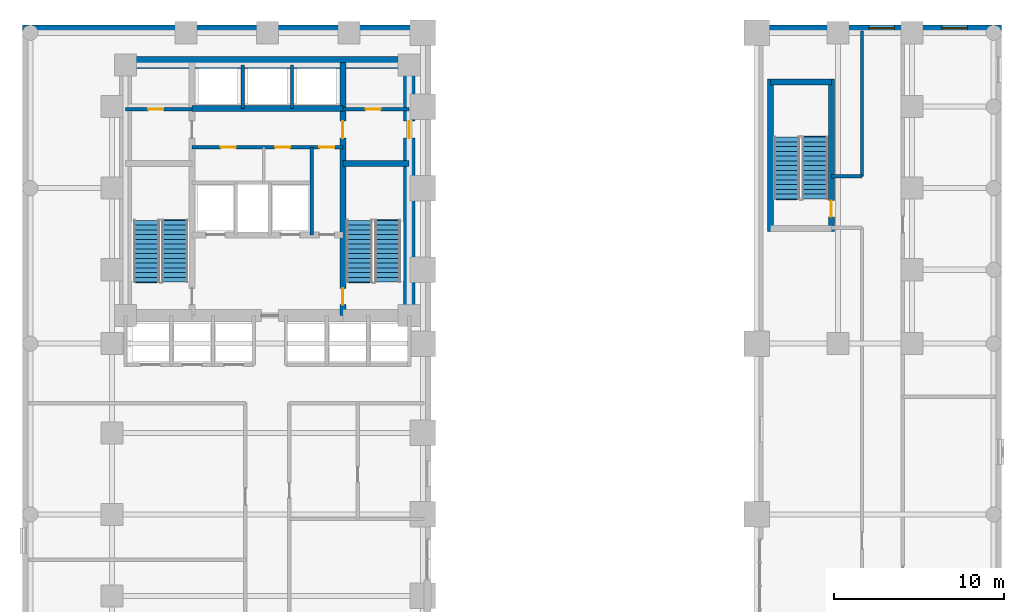
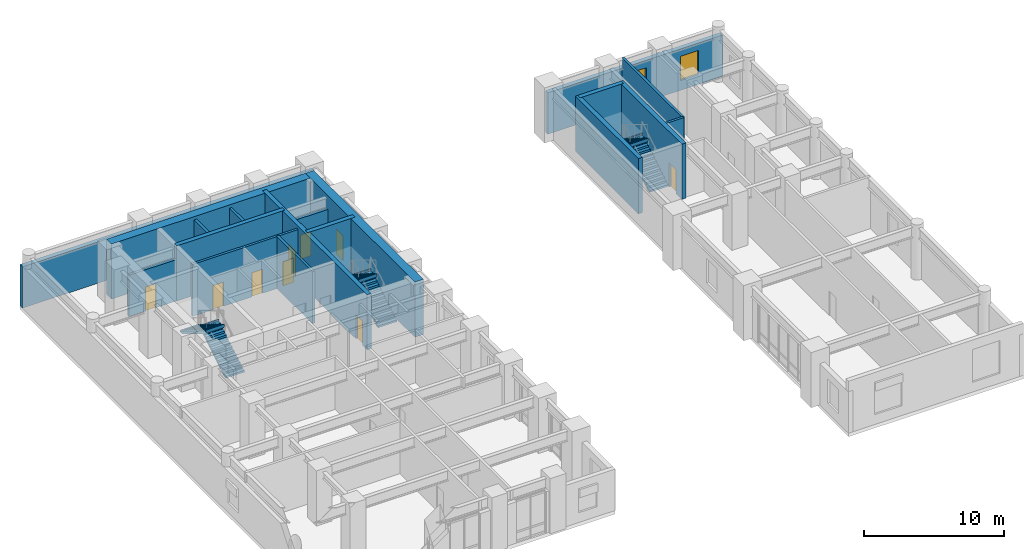
# One storey, part 8 of 11: 18 walls, 9 doors, 6 stair flights, 2 windows, 11 openings, 3 elements without a shape of their own.
"""IFC4 building model written with IfcOpenShell, lengths in metres."""

from ifc_helpers import new_model, si_unit, direction, frame, frame_2d, origin, place, context, subcontext, project, spatial, polyline, rectangle, outline, extrude, material, layer, layer_set, type_object, element, fill, aggregate, save


model = new_model("IFC4")

# Units and contexts
model_context = context("Model", 3, precision=1e-05, world=origin(), true_north=direction((0.0, 1.0)))
body_context = subcontext(model_context, "Body", "Model", "MODEL_VIEW")
ifc_project = project(units=[si_unit("LENGTHUNIT", "METRE"), si_unit("AREAUNIT", "SQUARE_METRE"), si_unit("VOLUMEUNIT", "CUBIC_METRE"), si_unit("PLANEANGLEUNIT", "RADIAN"), si_unit("MASSUNIT", "GRAM", prefix="KILO")], contexts=[model_context])

# Site, building, storey
site_placement = place(None, origin())
site = spatial("IfcSite", under=ifc_project, at=site_placement, CompositionType="ELEMENT")
building_placement = place(site_placement, origin())
building = spatial("IfcBuilding", under=site, at=building_placement, Name="Orvandelia Arch Residences", CompositionType="ELEMENT")
storey_placement = place(building_placement, frame((0.0, 0.0, 5.199951171875)))
storey = spatial("IfcBuildingStorey", under=building, at=storey_placement, Name="L01", CompositionType="ELEMENT", Elevation=5.199951171875)

# Wall, openings, doors
ifc_material_1 = material(Name="Concrete C50/60", Category="concrete")
ifc_layer_1 = layer(ifc_material_1, 0.35009765625, Name="Concrete C50/60", Category="concrete")
ifc_layer_set_1 = layer_set([ifc_layer_1], Name="Concrete C50/60")
wall_type_1 = type_object("IfcWallType", Name="WL-CORE-350", PredefinedType="SHEAR", material=ifc_layer_set_1)
wall_1_placement = place(storey_placement, frame((18.840087890625, 30.89990234375, 0.0), z_axis=(0.0, 0.0, 1.0), x_axis=(0.0, 1.0, 0.0)))
wall_1 = element("IfcWall", 1, at=wall_1_placement, inside=storey, type_object=wall_type_1, Name="Core Shear Wall L01-WEB2", PredefinedType="SHEAR", context=body_context, shape_type="SweptSolid", body=[
    extrude(rectangle(XDim=14.900146484375, YDim=0.35009765625, at=frame_2d((7.4501953125, 0.0))), origin(), (0.0, 0.0, 1.0), 4.800048828125),
])
opening_1_placement = place(wall_1_placement, frame((0.64990234375, 0.0, 0.0)))
opening_1 = element("IfcOpeningElement", 2, at=opening_1_placement, cuts=wall_1, Name="Opening D7", PredefinedType="OPENING", context=body_context, shape_type="SweptSolid", body=[
    extrude(rectangle(XDim=0.949951171875, YDim=2.10009765625, at=frame_2d((0.47509765625, 1.050048828125))), frame((0.0, 0.18505859375, 0.0), z_axis=(0.0, -1.0, 0.0), x_axis=(1.0, 0.0, 0.0)), (0.0, 0.0, 1.0), 0.3701171875),
])
opening_2_placement = place(wall_1_placement, frame((10.449951171875, 0.0, 0.0)))
opening_2 = element("IfcOpeningElement", 3, at=opening_2_placement, cuts=wall_1, Name="Opening D6", PredefinedType="OPENING", context=body_context, shape_type="SweptSolid", body=[
    extrude(rectangle(XDim=1.0, YDim=2.14990234375, at=frame_2d((0.5, 1.074951171875))), frame((0.0, 0.18505859375, 0.0), z_axis=(0.0, -1.0, 0.0), x_axis=(1.0, 0.0, 0.0)), (0.0, 0.0, 1.0), 0.3701171875),
])
ifc_material_2 = material(Name="Smokeproof Painted Steel Fire Door", Category="steel")
door_type_1 = type_object("IfcDoorType", Name="DR-FD60-1000", OperationType="NOTDEFINED", PredefinedType="DOOR", material=ifc_material_2)
door_1_placement = place(opening_2_placement, origin())
door_1 = element("IfcDoor", 4, at=door_1_placement, inside=storey, type_object=door_type_1, Name="High-Rise Lift Hall East Vestibule Door L01", OperationType="SINGLE_SWING_RIGHT", OverallHeight=2.14990234375, OverallWidth=1.0, PredefinedType="DOOR", context=body_context, shape_type="SweptSolid", body=[
    extrude(rectangle(XDim=1.0, YDim=2.14990234375, at=frame_2d((0.5, 1.074951171875))), frame((0.0, 0.02490234375, 0.0), z_axis=(0.0, -1.0, 0.0), x_axis=(1.0, 0.0, 0.0)), (0.0, 0.0, 1.0), 0.050048828125),
])
fill(opening_2, door_1)
ifc_material_3 = material(Name="Pressurised Stairwell Fire Door")
door_type_2 = type_object("IfcDoorType", Name="DR-STAIR-950", OperationType="NOTDEFINED", PredefinedType="DOOR", material=ifc_material_3)
door_2_placement = place(opening_1_placement, origin())
door_2 = element("IfcDoor", 5, at=door_2_placement, inside=storey, type_object=door_type_2, Name="Stairwell ST-2 Fire Door L01", OperationType="SINGLE_SWING_RIGHT", OverallHeight=2.10009765625, OverallWidth=0.949951171875, PredefinedType="DOOR", context=body_context, shape_type="SweptSolid", body=[
    extrude(rectangle(XDim=0.949951171875, YDim=2.10009765625, at=frame_2d((0.47509765625, 1.050048828125))), frame((0.0, 0.02490234375, 0.0), z_axis=(0.0, -1.0, 0.0), x_axis=(1.0, 0.0, 0.0)), (0.0, 0.0, 1.0), 0.050048828125),
])
fill(opening_1, door_2)

# Walls
wall_2_placement = place(storey_placement, frame((18.840087890625, 39.85009765625, 0.0), z_axis=(0.0, 0.0, 1.0), x_axis=(1.0, 0.0, 0.0)))
element("IfcWall", 6, at=wall_2_placement, inside=storey, type_object=wall_type_1, Name="Core Shear Wall L01-HZ2", PredefinedType="SHEAR", context=body_context, shape_type="SweptSolid", body=[
    extrude(rectangle(XDim=3.909912109375, YDim=0.35009765625, at=frame_2d((1.955078125, 0.0))), origin(), (0.0, 0.0, 1.0), 4.800048828125),
])
wall_3_placement = place(storey_placement, frame((9.9599609375, 43.10009765625, 0.0), z_axis=(0.0, 0.0, 1.0), x_axis=(1.0, 0.0, 0.0)))
element("IfcWall", 7, at=wall_3_placement, inside=storey, type_object=wall_type_1, Name="Core Shear Wall L01-HZ4", PredefinedType="SHEAR", context=body_context, shape_type="SweptSolid", body=[
    extrude(rectangle(XDim=8.880126953125, YDim=0.35009765625, at=frame_2d((4.43994140625, 0.0))), origin(), (0.0, 0.0, 1.0), 4.800048828125),
])
wall_4_placement = place(storey_placement, frame((44.02001953125, 35.864990234375, 0.0), z_axis=(0.0, 0.0, 1.0), x_axis=(0.0, 1.0, 0.0)))
element("IfcWall", 8, at=wall_4_placement, inside=storey, type_object=wall_type_1, Name="East Stair Core Shear Wall L01-W", PredefinedType="SHEAR", context=body_context, shape_type="SweptSolid", body=[
    extrude(rectangle(XDim=8.969970703125, YDim=0.35009765625, at=frame_2d((4.48486328125, 0.0))), origin(), (0.0, 0.0, 1.0), 4.800048828125),
])

# Wall, opening, door
wall_5_placement = place(storey_placement, frame((47.60009765625, 35.864990234375, 0.0), z_axis=(0.0, 0.0, 1.0), x_axis=(0.0, 1.0, 0.0)))
wall_5 = element("IfcWall", 9, at=wall_5_placement, inside=storey, type_object=wall_type_1, Name="East Stair Core Shear Wall L01-E", PredefinedType="SHEAR", context=body_context, shape_type="SweptSolid", body=[
    extrude(rectangle(XDim=8.969970703125, YDim=0.35009765625, at=frame_2d((4.48486328125, 0.0))), origin(), (0.0, 0.0, 1.0), 4.800048828125),
])
opening_3_placement = place(wall_5_placement, frame((0.85009765625, 0.0, 0.0)))
opening_3 = element("IfcOpeningElement", 10, at=opening_3_placement, cuts=wall_5, Name="Opening D7", PredefinedType="OPENING", context=body_context, shape_type="SweptSolid", body=[
    extrude(rectangle(XDim=0.949951171875, YDim=2.10009765625, at=frame_2d((0.47509765625, 1.050048828125))), frame((0.0, 0.18505859375, 0.0), z_axis=(0.0, -1.0, 0.0), x_axis=(1.0, 0.0, 0.0)), (0.0, 0.0, 1.0), 0.3701171875),
])
door_3_placement = place(opening_3_placement, origin())
door_3 = element("IfcDoor", 11, at=door_3_placement, inside=storey, type_object=door_type_2, Name="East Stairwell ST-3 Fire Door L01", OperationType="SINGLE_SWING_RIGHT", OverallHeight=2.10009765625, OverallWidth=0.949951171875, PredefinedType="DOOR", context=body_context, shape_type="SweptSolid", body=[
    extrude(rectangle(XDim=0.949951171875, YDim=2.10009765625, at=frame_2d((0.47509765625, 1.050048828125))), frame((0.0, 0.02490234375, 0.0), z_axis=(0.0, -1.0, 0.0), x_axis=(1.0, 0.0, 0.0)), (0.0, 0.0, 1.0), 0.050048828125),
])
fill(opening_3, door_3)

# Wall
wall_6_placement = place(storey_placement, frame((44.02001953125, 44.659912109375, 0.0), z_axis=(0.0, 0.0, 1.0), x_axis=(1.0, 0.0, 0.0)))
element("IfcWall", 12, at=wall_6_placement, inside=storey, type_object=wall_type_1, Name="East Stair Core Shear Wall L01-N", PredefinedType="SHEAR", context=body_context, shape_type="SweptSolid", body=[
    extrude(rectangle(XDim=3.580078125, YDim=0.35009765625, at=frame_2d((1.7900390625, 0.0))), origin(), (0.0, 0.0, 1.0), 4.800048828125),
])

# Wall, opening, door
ifc_material_4 = material(Name="Concrete C80/95", Category="concrete")
ifc_layer_2 = layer(ifc_material_4, 0.699951171875, Name="Concrete C80/95", Category="concrete")
ifc_layer_set_2 = layer_set([ifc_layer_2], Name="Concrete C80/95")
wall_type_2 = type_object("IfcWallType", Name="WL-CORE-700", PredefinedType="SHEAR", material=ifc_layer_set_2)
wall_7_placement = place(storey_placement, frame((22.75, 30.550048828125, 0.0), z_axis=(0.0, 0.0, 1.0), x_axis=(0.0, 1.0, 0.0)))
wall_7 = element("IfcWall", 13, at=wall_7_placement, inside=storey, type_object=wall_type_2, Name="Core Shear Wall L01-E", PredefinedType="SHEAR", context=body_context, shape_type="SweptSolid", body=[
    extrude(rectangle(XDim=15.599853515625, YDim=0.699951171875, at=frame_2d((7.7998046875, 0.0))), origin(), (0.0, 0.0, 1.0), 4.800048828125),
])
opening_4_placement = place(wall_7_placement, frame((10.800048828125, 0.0, 0.0)))
opening_4 = element("IfcOpeningElement", 14, at=opening_4_placement, cuts=wall_7, Name="Opening D6", PredefinedType="OPENING", context=body_context, shape_type="SweptSolid", body=[
    extrude(rectangle(XDim=1.0, YDim=2.14990234375, at=frame_2d((0.5, 1.074951171875))), frame((0.0, 0.35986328125, 0.0), z_axis=(0.0, -1.0, 0.0), x_axis=(1.0, 0.0, 0.0)), (0.0, 0.0, 1.0), 0.719970703125),
])
door_4_placement = place(opening_4_placement, origin())
door_4 = element("IfcDoor", 15, at=door_4_placement, inside=storey, type_object=door_type_1, Name="Core East Corridor Link Door L01", OperationType="SINGLE_SWING_LEFT", OverallHeight=2.14990234375, OverallWidth=1.0, PredefinedType="DOOR", context=body_context, shape_type="SweptSolid", body=[
    extrude(rectangle(XDim=1.0, YDim=2.14990234375, at=frame_2d((0.5, 1.074951171875))), frame((0.0, 0.02490234375, 0.0), z_axis=(0.0, -1.0, 0.0), x_axis=(1.0, 0.0, 0.0)), (0.0, 0.0, 1.0), 0.050048828125),
])
fill(opening_4, door_4)

# Walls
wall_8_placement = place(storey_placement, frame((6.050048828125, 45.800048828125, 0.0), z_axis=(0.0, 0.0, 1.0), x_axis=(1.0, 0.0, 0.0)))
element("IfcWall", 16, at=wall_8_placement, inside=storey, type_object=wall_type_2, Name="Core Shear Wall L01-N", PredefinedType="SHEAR", context=body_context, shape_type="SweptSolid", body=[
    extrude(rectangle(XDim=16.699951171875, YDim=0.699951171875, at=frame_2d((8.35009765625, 0.0))), origin(), (0.0, 0.0, 1.0), 4.800048828125),
])
ifc_material_5 = material(Name="Fire-Rated Corridor Partition")
ifc_layer_3 = layer(ifc_material_5, 0.199951171875, Name="Fire-Rated Corridor Partition")
ifc_layer_set_3 = layer_set([ifc_layer_3], Name="Fire-Rated Corridor Partition")
wall_type_3 = type_object("IfcWallType", Name="WL-CORR-200", PredefinedType="PARTITIONING", material=ifc_layer_set_3)
wall_9_placement = place(storey_placement, frame((49.39990234375, 39.10009765625, 0.0), z_axis=(0.0, 0.0, 1.0), x_axis=(0.0, 1.0, 0.0)))
element("IfcWall", 17, at=wall_9_placement, inside=storey, type_object=wall_type_3, Name="Interior Partition Wall WL-L01-PE-W2", PredefinedType="PARTITIONING", context=body_context, shape_type="SweptSolid", body=[
    extrude(rectangle(XDim=8.539794921875, YDim=0.199951171875, at=frame_2d((4.27001953125, 0.0))), origin(), (0.0, 0.0, 1.0), 4.52001953125),
])
wall_10_placement = place(storey_placement, frame((47.60009765625, 39.10009765625, 0.0), z_axis=(0.0, 0.0, 1.0), x_axis=(1.0, 0.0, 0.0)))
element("IfcWall", 18, at=wall_10_placement, inside=storey, type_object=wall_type_3, Name="Interior Partition Wall WL-L01-PE-VN", PredefinedType="PARTITIONING", context=body_context, shape_type="SweptSolid", body=[
    extrude(rectangle(XDim=1.7998046875, YDim=0.199951171875, at=frame_2d((0.89990234375, 0.0))), origin(), (0.0, 0.0, 1.0), 4.52001953125),
])
ifc_material_6 = material(Name="Precast concrete C40/50", Category="concrete")
ifc_layer_4 = layer(ifc_material_6, 0.35009765625, Name="Precast concrete C40/50", Category="concrete")
ifc_layer_set_4 = layer_set([ifc_layer_4], Name="Precast concrete C40/50")
wall_type_4 = type_object("IfcWallType", Name="WL-EXT-POD-350", PredefinedType="STANDARD", material=ifc_layer_set_4)
wall_11_placement = place(storey_placement, frame((0.0, 47.824951171875, 0.0), z_axis=(0.0, 0.0, 1.0), x_axis=(1.0, 0.0, 0.0)))
element("IfcWall", 19, at=wall_11_placement, inside=storey, type_object=wall_type_4, Name="Coral-Limestone Precast Facade Wall L01-001", PredefinedType="STANDARD", context=body_context, shape_type="SweptSolid", body=[
    extrude(rectangle(XDim=24.0, YDim=0.35009765625, at=frame_2d((12.0, 0.0))), origin(), (0.0, 0.0, 1.0), 3.60009765625),
])

# Wall, openings, windows
wall_12_placement = place(storey_placement, frame((43.199951171875, 47.824951171875, 0.0), z_axis=(0.0, 0.0, 1.0), x_axis=(1.0, 0.0, 0.0)))
wall_12 = element("IfcWall", 20, at=wall_12_placement, inside=storey, type_object=wall_type_4, Name="Coral-Limestone Precast Facade Wall L01-010", PredefinedType="STANDARD", context=body_context, shape_type="SweptSolid", body=[
    extrude(rectangle(XDim=14.400146484375, YDim=0.35009765625, at=frame_2d((7.2001953125, 0.0))), origin(), (0.0, 0.0, 1.0), 3.60009765625),
])
opening_5_placement = place(wall_12_placement, frame((6.60009765625, 0.0, 0.85009765625)))
opening_5 = element("IfcOpeningElement", 21, at=opening_5_placement, cuts=wall_12, Name="Opening W2", PredefinedType="OPENING", context=body_context, shape_type="SweptSolid", body=[
    extrude(rectangle(XDim=1.5, YDim=2.10009765625, at=frame_2d((0.75, 1.050048828125))), frame((0.0, 0.18505859375, 0.0), z_axis=(0.0, -1.0, 0.0), x_axis=(1.0, 0.0, 0.0)), (0.0, 0.0, 1.0), 0.3701171875),
])
opening_6_placement = place(wall_12_placement, frame((10.89990234375, 0.0, 0.85009765625)))
opening_6 = element("IfcOpeningElement", 22, at=opening_6_placement, cuts=wall_12, Name="Opening W2", PredefinedType="OPENING", context=body_context, shape_type="SweptSolid", body=[
    extrude(rectangle(XDim=1.5, YDim=2.10009765625, at=frame_2d((0.75, 1.050048828125))), frame((0.0, 0.18505859375, 0.0), z_axis=(0.0, -1.0, 0.0), x_axis=(1.0, 0.0, 0.0)), (0.0, 0.0, 1.0), 0.3701171875),
])
ifc_material_7 = material(Name="Tempered Low-E Insulated Glazing", Category="glass")
window_type = type_object("IfcWindowType", Name="WIN-RES-1500x2100", PartitioningType="SINGLE_PANEL", PredefinedType="WINDOW", material=ifc_material_7)
window_1_placement = place(opening_5_placement, origin())
window_1 = element("IfcWindow", 23, at=window_1_placement, inside=storey, type_object=window_type, Name="Recessed Punched Window L01-007", OverallHeight=2.10009765625, OverallWidth=1.5, PartitioningType="SINGLE_PANEL", PredefinedType="WINDOW", context=body_context, shape_type="SweptSolid", body=[
    extrude(rectangle(XDim=1.5, YDim=2.10009765625, at=frame_2d((0.75, 1.050048828125))), frame((0.0, 0.030029296875, 0.0), z_axis=(0.0, -1.0, 0.0), x_axis=(1.0, 0.0, 0.0)), (0.0, 0.0, 1.0), 0.06005859375),
])
fill(opening_5, window_1)
window_2_placement = place(opening_6_placement, origin())
window_2 = element("IfcWindow", 24, at=window_2_placement, inside=storey, type_object=window_type, Name="Recessed Punched Window L01-008", OverallHeight=2.10009765625, OverallWidth=1.5, PartitioningType="SINGLE_PANEL", PredefinedType="WINDOW", context=body_context, shape_type="SweptSolid", body=[
    extrude(rectangle(XDim=1.5, YDim=2.10009765625, at=frame_2d((0.75, 1.050048828125))), frame((0.0, 0.030029296875, 0.0), z_axis=(0.0, -1.0, 0.0), x_axis=(1.0, 0.0, 0.0)), (0.0, 0.0, 1.0), 0.06005859375),
])
fill(opening_6, window_2)

# Wall
ifc_material_8 = material(Name="Fire-Rated Shaft Enclosure Wall")
ifc_layer_5 = layer(ifc_material_8, 0.199951171875, Name="Fire-Rated Shaft Enclosure Wall")
ifc_layer_set_5 = layer_set([ifc_layer_5], Name="Fire-Rated Shaft Enclosure Wall")
wall_type_5 = type_object("IfcWallType", Name="WL-SHAFT-200", PredefinedType="POLYGONAL", material=ifc_layer_set_5)
wall_13_placement = place(storey_placement, frame((17.02001953125, 35.64990234375, 0.0), z_axis=(0.0, 0.0, 1.0), x_axis=(0.0, 1.0, 0.0)))
element("IfcWall", 25, at=wall_13_placement, inside=storey, type_object=wall_type_5, Name="Interior Partition Wall WL-L01-FLM3", PredefinedType="POLYGONAL", context=body_context, shape_type="SweptSolid", body=[
    extrude(rectangle(XDim=5.150146484375, YDim=0.199951171875, at=frame_2d((2.5751953125, 0.0))), origin(), (0.0, 0.0, 1.0), 4.52001953125),
])

# Wall, openings, doors
wall_14_placement = place(storey_placement, frame((9.9599609375, 40.800048828125, 0.0), z_axis=(0.0, 0.0, 1.0), x_axis=(1.0, 0.0, 0.0)))
wall_14 = element("IfcWall", 26, at=wall_14_placement, inside=storey, type_object=wall_type_5, Name="Interior Partition Wall WL-L01-HLH-S", PredefinedType="POLYGONAL", context=body_context, shape_type="SweptSolid", body=[
    extrude(rectangle(XDim=8.880126953125, YDim=0.199951171875, at=frame_2d((4.43994140625, 0.0))), origin(), (0.0, 0.0, 1.0), 4.52001953125),
])
opening_7_placement = place(wall_14_placement, frame((7.5, 0.0, 0.0)))
opening_7 = element("IfcOpeningElement", 27, at=opening_7_placement, cuts=wall_14, Name="Opening D5", PredefinedType="OPENING", context=body_context, shape_type="SweptSolid", body=[
    extrude(rectangle(XDim=0.8798828125, YDim=2.10009765625, at=frame_2d((0.43994140625, 1.050048828125))), frame((0.0, 0.10986328125, 0.0), z_axis=(0.0, -1.0, 0.0), x_axis=(1.0, 0.0, 0.0)), (0.0, 0.0, 1.0), 0.219970703125),
])
opening_8_placement = place(wall_14_placement, frame((1.699951171875, 0.0, 0.0)))
opening_8 = element("IfcOpeningElement", 28, at=opening_8_placement, cuts=wall_14, Name="Opening D5", PredefinedType="OPENING", context=body_context, shape_type="SweptSolid", body=[
    extrude(rectangle(XDim=0.8798828125, YDim=2.10009765625, at=frame_2d((0.43994140625, 1.050048828125))), frame((0.0, 0.10986328125, 0.0), z_axis=(0.0, -1.0, 0.0), x_axis=(1.0, 0.0, 0.0)), (0.0, 0.0, 1.0), 0.219970703125),
])
opening_9_placement = place(wall_14_placement, frame((4.89990234375, 0.0, 0.0)))
opening_9 = element("IfcOpeningElement", 29, at=opening_9_placement, cuts=wall_14, Name="Opening D5", PredefinedType="OPENING", context=body_context, shape_type="SweptSolid", body=[
    extrude(rectangle(XDim=0.8798828125, YDim=2.10009765625, at=frame_2d((0.43994140625, 1.050048828125))), frame((0.0, 0.10986328125, 0.0), z_axis=(0.0, -1.0, 0.0), x_axis=(1.0, 0.0, 0.0)), (0.0, 0.0, 1.0), 0.219970703125),
])
ifc_material_9 = material(Name="Painted Galvanised Steel Service Door", Category="steel")
door_type_3 = type_object("IfcDoorType", Name="DR-SRV-880", OperationType="NOTDEFINED", PredefinedType="DOOR", material=ifc_material_9)
door_5_placement = place(opening_7_placement, origin())
door_5 = element("IfcDoor", 30, at=door_5_placement, inside=storey, type_object=door_type_3, Name="Core Stairway Passage North Fire Door L01", OperationType="SINGLE_SWING_RIGHT", OverallHeight=2.10009765625, OverallWidth=0.8798828125, PredefinedType="DOOR", context=body_context, shape_type="SweptSolid", body=[
    extrude(rectangle(XDim=0.8798828125, YDim=2.10009765625, at=frame_2d((0.43994140625, 1.050048828125))), frame((0.0, 0.02490234375, 0.0), z_axis=(0.0, -1.0, 0.0), x_axis=(1.0, 0.0, 0.0)), (0.0, 0.0, 1.0), 0.050048828125),
])
fill(opening_7, door_5)
door_6_placement = place(opening_8_placement, origin())
door_6 = element("IfcDoor", 31, at=door_6_placement, inside=storey, type_object=door_type_3, Name="DR-L01-CSA1", OperationType="SINGLE_SWING_LEFT", OverallHeight=2.10009765625, OverallWidth=0.8798828125, PredefinedType="DOOR", context=body_context, shape_type="SweptSolid", body=[
    extrude(rectangle(XDim=0.8798828125, YDim=2.10009765625, at=frame_2d((0.43994140625, 1.050048828125))), frame((0.0, 0.02490234375, 0.0), z_axis=(0.0, -1.0, 0.0), x_axis=(1.0, 0.0, 0.0)), (0.0, 0.0, 1.0), 0.050048828125),
])
fill(opening_8, door_6)
door_7_placement = place(opening_9_placement, origin())
door_7 = element("IfcDoor", 32, at=door_7_placement, inside=storey, type_object=door_type_3, Name="DR-L01-CSA2", OperationType="SINGLE_SWING_RIGHT", OverallHeight=2.10009765625, OverallWidth=0.8798828125, PredefinedType="DOOR", context=body_context, shape_type="SweptSolid", body=[
    extrude(rectangle(XDim=0.8798828125, YDim=2.10009765625, at=frame_2d((0.43994140625, 1.050048828125))), frame((0.0, 0.02490234375, 0.0), z_axis=(0.0, -1.0, 0.0), x_axis=(1.0, 0.0, 0.0)), (0.0, 0.0, 1.0), 0.050048828125),
])
fill(opening_9, door_7)

# Wall, opening, door
wall_15_placement = place(storey_placement, frame((18.840087890625, 43.050048828125, 0.0), z_axis=(0.0, 0.0, 1.0), x_axis=(1.0, 0.0, 0.0)))
wall_15 = element("IfcWall", 33, at=wall_15_placement, inside=storey, type_object=wall_type_5, Name="Interior Partition Wall WL-L01-HLE-N", PredefinedType="POLYGONAL", context=body_context, shape_type="SweptSolid", body=[
    extrude(rectangle(XDim=3.909912109375, YDim=0.199951171875, at=frame_2d((1.955078125, 0.0))), origin(), (0.0, 0.0, 1.0), 3.60009765625),
])
opening_10_placement = place(wall_15_placement, frame((1.35009765625, 0.0, 0.0)))
opening_10 = element("IfcOpeningElement", 34, at=opening_10_placement, cuts=wall_15, Name="Opening D5", PredefinedType="OPENING", context=body_context, shape_type="SweptSolid", body=[
    extrude(rectangle(XDim=0.8798828125, YDim=2.10009765625, at=frame_2d((0.43994140625, 1.050048828125))), frame((0.0, 0.10986328125, 0.0), z_axis=(0.0, -1.0, 0.0), x_axis=(1.0, 0.0, 0.0)), (0.0, 0.0, 1.0), 0.219970703125),
])
door_8_placement = place(opening_10_placement, origin())
door_8 = element("IfcDoor", 35, at=door_8_placement, inside=storey, type_object=door_type_3, Name="DR-L01-CSB1", OperationType="SINGLE_SWING_LEFT", OverallHeight=2.10009765625, OverallWidth=0.8798828125, PredefinedType="DOOR", context=body_context, shape_type="SweptSolid", body=[
    extrude(rectangle(XDim=0.8798828125, YDim=2.10009765625, at=frame_2d((0.43994140625, 1.050048828125))), frame((0.0, 0.02490234375, 0.0), z_axis=(0.0, -1.0, 0.0), x_axis=(1.0, 0.0, 0.0)), (0.0, 0.0, 1.0), 0.050048828125),
])
fill(opening_10, door_8)

wall_16_placement = place(storey_placement, frame((6.050048828125, 43.050048828125, 0.0), z_axis=(0.0, 0.0, 1.0), x_axis=(1.0, 0.0, 0.0)))
wall_16 = element("IfcWall", 36, at=wall_16_placement, inside=storey, type_object=wall_type_5, Name="Interior Partition Wall WL-L01-HLW-N", PredefinedType="POLYGONAL", context=body_context, shape_type="SweptSolid", body=[
    extrude(rectangle(XDim=3.909912109375, YDim=0.199951171875, at=frame_2d((1.955078125, 0.0))), origin(), (0.0, 0.0, 1.0), 3.60009765625),
])
opening_11_placement = place(wall_16_placement, frame((1.35009765625, 0.0, 0.0)))
opening_11 = element("IfcOpeningElement", 37, at=opening_11_placement, cuts=wall_16, Name="Opening D5", PredefinedType="OPENING", context=body_context, shape_type="SweptSolid", body=[
    extrude(rectangle(XDim=0.8798828125, YDim=2.10009765625, at=frame_2d((0.43994140625, 1.050048828125))), frame((0.0, 0.10986328125, 0.0), z_axis=(0.0, -1.0, 0.0), x_axis=(1.0, 0.0, 0.0)), (0.0, 0.0, 1.0), 0.219970703125),
])
door_9_placement = place(opening_11_placement, origin())
door_9 = element("IfcDoor", 38, at=door_9_placement, inside=storey, type_object=door_type_3, Name="Riser Service Door L01", OperationType="SINGLE_SWING_RIGHT", OverallHeight=2.10009765625, OverallWidth=0.8798828125, PredefinedType="DOOR", context=body_context, shape_type="SweptSolid", body=[
    extrude(rectangle(XDim=0.8798828125, YDim=2.10009765625, at=frame_2d((0.43994140625, 1.050048828125))), frame((0.0, 0.02490234375, 0.0), z_axis=(0.0, -1.0, 0.0), x_axis=(1.0, 0.0, 0.0)), (0.0, 0.0, 1.0), 0.050048828125),
])
fill(opening_11, door_9)

# Walls
for number, where, z_axis, x_axis, name in (
    (39, (12.949951171875, 43.10009765625, 0.0), (0.0, 0.0, 1.0), (0.0, 1.0, 0.0), "Interior Partition Wall WL-L01-PHD1"),
    (40, (15.85009765625, 43.10009765625, 0.0), (0.0, 0.0, 1.0), (0.0, 1.0, 0.0), "Interior Partition Wall WL-L01-PHD2"),
):
    element("IfcWall", number, at=place(storey_placement, frame(where, z_axis=z_axis, x_axis=x_axis)), inside=storey, type_object=wall_type_5, Name=name, PredefinedType="POLYGONAL", context=body_context, shape_type="SweptSolid", body=[
        extrude(rectangle(XDim=2.5498046875, YDim=0.199951171875, at=frame_2d((1.27490234375, 0.0))), origin(), (0.0, 0.0, 1.0), 4.52001953125),
    ])

# Stair, stair flights
ifc_material_10 = material(Name="Concrete C40/50", Category="concrete")
stair_type = type_object("IfcStairType", Name="STAIR-RC-DOGLEG", PredefinedType="HALF_TURN_STAIR", material=ifc_material_10)
stair_1_placement = place(storey_placement, origin())
stair_1 = element("IfcStair", 41, at=stair_1_placement, inside=storey, type_object=stair_type, Name="L01 Protected Exit Stair ST-1", PredefinedType="HALF_TURN_STAIR")
stair_flight_type = type_object("IfcStairFlightType", Name="STFLT-RC-1520", PredefinedType="STRAIGHT", material=ifc_material_10)
stair_flight_1_placement = place(storey_placement, frame((8.9599609375, 32.8701171875, 0.0), z_axis=(0.0, 0.0, 1.0), x_axis=(0.0, 1.0, 0.0)))
stair_flight_1 = element("IfcStairFlight", 42, at=stair_flight_1_placement, type_object=stair_flight_type, Name="ST-1 flight 1", NumberOfRisers=14, NumberOfTreads=13, PredefinedType="STRAIGHT", RiserHeight=0.171428571, TreadLength=0.28, context=body_context, shape_type="SweptSolid", body=[
    extrude(outline(polyline([(0.0, 0.0), (0.0, 0.17138671875), (0.280029296875, 0.17138671875), (0.280029296875, 0.3427734375), (0.56005859375, 0.3427734375), (0.56005859375, 0.514404296875), (0.840087890625, 0.514404296875), (0.840087890625, 0.685791015625), (1.1201171875, 0.685791015625), (1.1201171875, 0.857177734375), (1.39990234375, 0.857177734375), (1.39990234375, 1.028564453125), (1.679931640625, 1.028564453125), (1.679931640625, 1.199951171875), (1.9599609375, 1.199951171875), (1.9599609375, 1.371337890625), (2.239990234375, 1.371337890625), (2.239990234375, 1.54296875), (2.52001953125, 1.54296875), (2.52001953125, 1.71435546875), (2.800048828125, 1.71435546875), (2.800048828125, 1.8857421875), (3.080078125, 1.8857421875), (3.080078125, 2.05712890625), (3.360107421875, 2.05712890625), (3.360107421875, 2.228515625), (3.639892578125, 2.228515625), (3.639892578125, 2.39990234375), (3.699951171875, 2.39990234375), (3.699951171875, 2.219970703125), (3.639892578125, 2.052734375), (0.287109375, 0.0), (0.0, 0.0)])), frame((0.0, 0.760009765625, 0.0), z_axis=(0.0, -1.0, 0.0), x_axis=(1.0, 0.0, 0.0)), (0.0, 0.0, 1.0), 1.52001953125),
])
stair_flight_2_placement = place(storey_placement, frame((7.2900390625, 36.510009765625, 2.400146484375), z_axis=(0.0, 0.0, 1.0), x_axis=(0.0, -1.0, 0.0)))
stair_flight_2 = element("IfcStairFlight", 43, at=stair_flight_2_placement, type_object=stair_flight_type, Name="ST-1 flight 2", NumberOfRisers=14, NumberOfTreads=13, PredefinedType="STRAIGHT", RiserHeight=0.171428571, TreadLength=0.28, context=body_context, shape_type="SweptSolid", body=[
    extrude(outline(polyline([(0.0, 0.0), (0.0, 0.17138671875), (0.280029296875, 0.17138671875), (0.280029296875, 0.3427734375), (0.56005859375, 0.3427734375), (0.56005859375, 0.514404296875), (0.840087890625, 0.514404296875), (0.840087890625, 0.685791015625), (1.1201171875, 0.685791015625), (1.1201171875, 0.857177734375), (1.39990234375, 0.857177734375), (1.39990234375, 1.028564453125), (1.679931640625, 1.028564453125), (1.679931640625, 1.199951171875), (1.9599609375, 1.199951171875), (1.9599609375, 1.371337890625), (2.239990234375, 1.371337890625), (2.239990234375, 1.54296875), (2.52001953125, 1.54296875), (2.52001953125, 1.71435546875), (2.800048828125, 1.71435546875), (2.800048828125, 1.8857421875), (3.080078125, 1.8857421875), (3.080078125, 2.05712890625), (3.360107421875, 2.05712890625), (3.360107421875, 2.228515625), (3.639892578125, 2.228515625), (3.639892578125, 2.39990234375), (3.699951171875, 2.39990234375), (3.699951171875, 2.219970703125), (3.639892578125, 2.052734375), (0.287109375, 0.0), (0.0, 0.0)])), frame((0.0, 0.760009765625, 0.0), z_axis=(0.0, -1.0, 0.0), x_axis=(1.0, 0.0, 0.0)), (0.0, 0.0, 1.0), 1.52001953125),
])
aggregate(stair_1, [stair_flight_1, stair_flight_2])

stair_2_placement = place(storey_placement, origin())
stair_2 = element("IfcStair", 44, at=stair_2_placement, inside=storey, type_object=stair_type, Name="L01 Protected Exit Stair ST-2", PredefinedType="HALF_TURN_STAIR")
stair_flight_3_placement = place(storey_placement, frame((21.489990234375, 32.8701171875, 0.0), z_axis=(0.0, 0.0, 1.0), x_axis=(0.0, 1.0, 0.0)))
stair_flight_3 = element("IfcStairFlight", 45, at=stair_flight_3_placement, type_object=stair_flight_type, Name="ST-2 flight 1", NumberOfRisers=14, NumberOfTreads=13, PredefinedType="STRAIGHT", RiserHeight=0.171428571, TreadLength=0.28, context=body_context, shape_type="SweptSolid", body=[
    extrude(outline(polyline([(0.0, 0.0), (0.0, 0.17138671875), (0.280029296875, 0.17138671875), (0.280029296875, 0.3427734375), (0.56005859375, 0.3427734375), (0.56005859375, 0.514404296875), (0.840087890625, 0.514404296875), (0.840087890625, 0.685791015625), (1.1201171875, 0.685791015625), (1.1201171875, 0.857177734375), (1.39990234375, 0.857177734375), (1.39990234375, 1.028564453125), (1.679931640625, 1.028564453125), (1.679931640625, 1.199951171875), (1.9599609375, 1.199951171875), (1.9599609375, 1.371337890625), (2.239990234375, 1.371337890625), (2.239990234375, 1.54296875), (2.52001953125, 1.54296875), (2.52001953125, 1.71435546875), (2.800048828125, 1.71435546875), (2.800048828125, 1.8857421875), (3.080078125, 1.8857421875), (3.080078125, 2.05712890625), (3.360107421875, 2.05712890625), (3.360107421875, 2.228515625), (3.639892578125, 2.228515625), (3.639892578125, 2.39990234375), (3.699951171875, 2.39990234375), (3.699951171875, 2.219970703125), (3.639892578125, 2.052734375), (0.287109375, 0.0), (0.0, 0.0)])), frame((0.0, 0.760009765625, 0.0), z_axis=(0.0, -1.0, 0.0), x_axis=(1.0, 0.0, 0.0)), (0.0, 0.0, 1.0), 1.52001953125),
])
stair_flight_4_placement = place(storey_placement, frame((19.820068359375, 36.510009765625, 2.400146484375), z_axis=(0.0, 0.0, 1.0), x_axis=(0.0, -1.0, 0.0)))
stair_flight_4 = element("IfcStairFlight", 46, at=stair_flight_4_placement, type_object=stair_flight_type, Name="ST-2 flight 2", NumberOfRisers=14, NumberOfTreads=13, PredefinedType="STRAIGHT", RiserHeight=0.171428571, TreadLength=0.28, context=body_context, shape_type="SweptSolid", body=[
    extrude(outline(polyline([(0.0, 0.0), (0.0, 0.17138671875), (0.280029296875, 0.17138671875), (0.280029296875, 0.3427734375), (0.56005859375, 0.3427734375), (0.56005859375, 0.514404296875), (0.840087890625, 0.514404296875), (0.840087890625, 0.685791015625), (1.1201171875, 0.685791015625), (1.1201171875, 0.857177734375), (1.39990234375, 0.857177734375), (1.39990234375, 1.028564453125), (1.679931640625, 1.028564453125), (1.679931640625, 1.199951171875), (1.9599609375, 1.199951171875), (1.9599609375, 1.371337890625), (2.239990234375, 1.371337890625), (2.239990234375, 1.54296875), (2.52001953125, 1.54296875), (2.52001953125, 1.71435546875), (2.800048828125, 1.71435546875), (2.800048828125, 1.8857421875), (3.080078125, 1.8857421875), (3.080078125, 2.05712890625), (3.360107421875, 2.05712890625), (3.360107421875, 2.228515625), (3.639892578125, 2.228515625), (3.639892578125, 2.39990234375), (3.699951171875, 2.39990234375), (3.699951171875, 2.219970703125), (3.639892578125, 2.052734375), (0.287109375, 0.0), (0.0, 0.0)])), frame((0.0, 0.760009765625, 0.0), z_axis=(0.0, -1.0, 0.0), x_axis=(1.0, 0.0, 0.0)), (0.0, 0.0, 1.0), 1.52001953125),
])
aggregate(stair_2, [stair_flight_3, stair_flight_4])

stair_3_placement = place(storey_placement, origin())
stair_3 = element("IfcStair", 47, at=stair_3_placement, inside=storey, type_object=stair_type, Name="L01 East Wing Exit Stair ST-3", PredefinedType="HALF_TURN_STAIR")
stair_flight_5_placement = place(storey_placement, frame((46.639892578125, 37.77001953125, 0.0), z_axis=(0.0, 0.0, 1.0), x_axis=(0.0, 1.0, 0.0)))
stair_flight_5 = element("IfcStairFlight", 48, at=stair_flight_5_placement, type_object=stair_flight_type, Name="ST-3 flight 1", NumberOfRisers=14, NumberOfTreads=13, PredefinedType="STRAIGHT", RiserHeight=0.171428571, TreadLength=0.28, context=body_context, shape_type="SweptSolid", body=[
    extrude(outline(polyline([(0.0, 0.0), (0.0, 0.17138671875), (0.280029296875, 0.17138671875), (0.280029296875, 0.3427734375), (0.56005859375, 0.3427734375), (0.56005859375, 0.514404296875), (0.840087890625, 0.514404296875), (0.840087890625, 0.685791015625), (1.1201171875, 0.685791015625), (1.1201171875, 0.857177734375), (1.39990234375, 0.857177734375), (1.39990234375, 1.028564453125), (1.679931640625, 1.028564453125), (1.679931640625, 1.199951171875), (1.9599609375, 1.199951171875), (1.9599609375, 1.371337890625), (2.239990234375, 1.371337890625), (2.239990234375, 1.54296875), (2.52001953125, 1.54296875), (2.52001953125, 1.71435546875), (2.800048828125, 1.71435546875), (2.800048828125, 1.8857421875), (3.080078125, 1.8857421875), (3.080078125, 2.05712890625), (3.360107421875, 2.05712890625), (3.360107421875, 2.228515625), (3.639892578125, 2.228515625), (3.639892578125, 2.39990234375), (3.699951171875, 2.39990234375), (3.699951171875, 2.219970703125), (3.639892578125, 2.052734375), (0.287109375, 0.0), (0.0, 0.0)])), frame((0.0, 0.760009765625, 0.0), z_axis=(0.0, -1.0, 0.0), x_axis=(1.0, 0.0, 0.0)), (0.0, 0.0, 1.0), 1.52001953125),
])
stair_flight_6_placement = place(storey_placement, frame((44.969970703125, 41.409912109375, 2.400146484375), z_axis=(0.0, 0.0, 1.0), x_axis=(0.0, -1.0, 0.0)))
stair_flight_6 = element("IfcStairFlight", 49, at=stair_flight_6_placement, type_object=stair_flight_type, Name="ST-3 flight 2", NumberOfRisers=14, NumberOfTreads=13, PredefinedType="STRAIGHT", RiserHeight=0.171428571, TreadLength=0.28, context=body_context, shape_type="SweptSolid", body=[
    extrude(outline(polyline([(0.0, 0.0), (0.0, 0.17138671875), (0.280029296875, 0.17138671875), (0.280029296875, 0.3427734375), (0.56005859375, 0.3427734375), (0.56005859375, 0.514404296875), (0.840087890625, 0.514404296875), (0.840087890625, 0.685791015625), (1.1201171875, 0.685791015625), (1.1201171875, 0.857177734375), (1.39990234375, 0.857177734375), (1.39990234375, 1.028564453125), (1.679931640625, 1.028564453125), (1.679931640625, 1.199951171875), (1.9599609375, 1.199951171875), (1.9599609375, 1.371337890625), (2.239990234375, 1.371337890625), (2.239990234375, 1.54296875), (2.52001953125, 1.54296875), (2.52001953125, 1.71435546875), (2.800048828125, 1.71435546875), (2.800048828125, 1.8857421875), (3.080078125, 1.8857421875), (3.080078125, 2.05712890625), (3.360107421875, 2.05712890625), (3.360107421875, 2.228515625), (3.639892578125, 2.228515625), (3.639892578125, 2.39990234375), (3.699951171875, 2.39990234375), (3.699951171875, 2.219970703125), (3.639892578125, 2.052734375), (0.287109375, 0.0), (0.0, 0.0)])), frame((0.0, 0.760009765625, 0.0), z_axis=(0.0, -1.0, 0.0), x_axis=(1.0, 0.0, 0.0)), (0.0, 0.0, 1.0), 1.52001953125),
])
aggregate(stair_3, [stair_flight_5, stair_flight_6])

save(model, "model.ifc")
